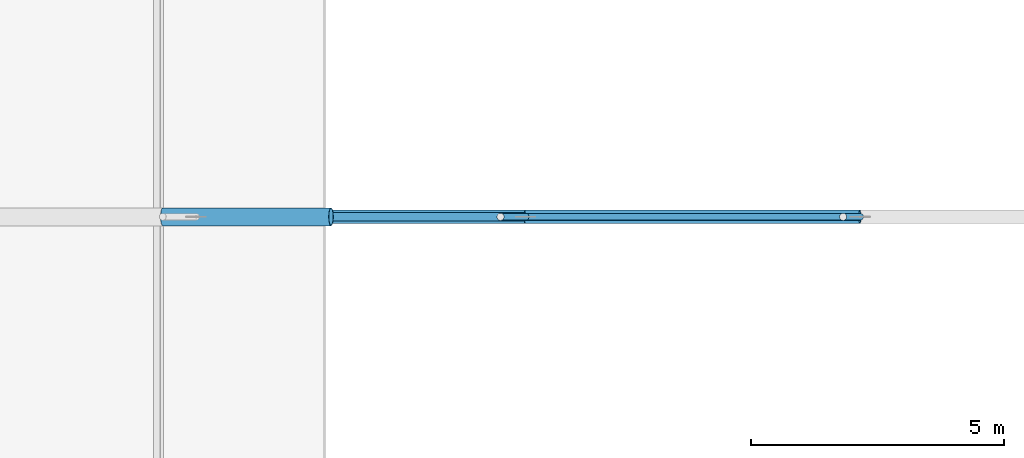
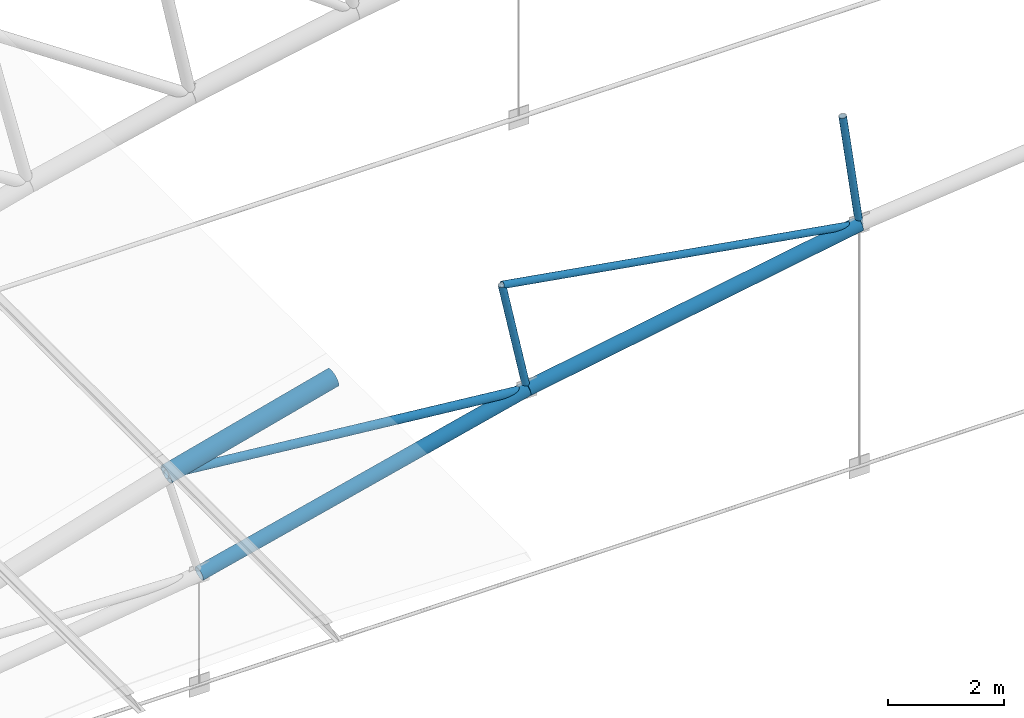
# One storey, part 85 of 321: 7 members.
"""IFC4 building model written with IfcOpenShell, lengths in metres."""

import ifcopenshell
import ifcopenshell.guid

model = None  # the IFC model being written
_history = None  # IfcOwnerHistory: only IFC2X3 demands one
_inside = {}  # id of a spatial element -> (the spatial element, [elements in it])
_under = {}  # id of a project, library or spatial element -> (it, [spatial elements below it])
_declared = {}  # id of a project -> (the project, [libraries it declares])
_typed = {}  # id of a type object -> (the type object, [elements of that type])
_made_of = {}  # id of a material, layer set ... -> (it, [elements and type objects made of it])


def new_model(schema):
    """Start an empty IFC model of exactly this schema.

    Asked for "IFC4X3", IfcOpenShell would pick the latest addendum, in which some entities
    have other attributes; the version numbers below select the first issue.
    IFC2X3 requires an IfcOwnerHistory on every rooted entity: one is made here for all.
    """
    global model, _history
    if schema == "IFC4X3":
        model = ifcopenshell.file(schema_version=(4, 3, 0, 0))
    else:
        model = ifcopenshell.file(schema=schema)
    _inside.clear()
    _under.clear()
    _declared.clear()
    _typed.clear()
    _made_of.clear()
    _history = None
    if model.schema == "IFC2X3":
        org = make("IfcOrganization", Name="unknown")
        user = make(
            "IfcPersonAndOrganization",
            ThePerson=make("IfcPerson", FamilyName="unknown"),
            TheOrganization=org,
        )
        app = make(
            "IfcApplication",
            ApplicationDeveloper=org,
            Version="unknown",
            ApplicationFullName="unknown",
            ApplicationIdentifier="unknown",
        )
        _history = make(
            "IfcOwnerHistory",
            OwningUser=user,
            OwningApplication=app,
            ChangeAction="ADDED",
            CreationDate=0,
        )
    return model


def make(cls, **values):
    """One entity of the class cls with the attributes given. An attribute that is None is left unset."""
    return model.create_entity(
        cls, **{name: value for name, value in values.items() if value is not None}
    )


def rooted(cls, **values):
    """An entity with a GlobalId (a new one), such as an element, a storey or a relation."""
    return make(cls, GlobalId=ifcopenshell.guid.new(), OwnerHistory=_history, **values)


def si_unit(unit_type, name, prefix=None):
    """IfcSIUnit, for example si_unit("LENGTHUNIT", "METRE", prefix="MILLI")."""
    return make("IfcSIUnit", UnitType=unit_type, Prefix=prefix, Name=name)


def assignment(units):
    """IfcUnitAssignment: the units of a project."""
    return None if units is None else make("IfcUnitAssignment", Units=units)


def point(xyz):
    """IfcCartesianPoint."""
    return None if xyz is None else make("IfcCartesianPoint", Coordinates=xyz)


def direction(xyz):
    """IfcDirection."""
    return None if xyz is None else make("IfcDirection", DirectionRatios=xyz)


def frame(location, z_axis=None, x_axis=None):
    """IfcAxis2Placement3D, a coordinate frame: its origin and axes. An axis left out is left unset."""
    return make(
        "IfcAxis2Placement3D",
        Location=point(location),
        Axis=direction(z_axis),
        RefDirection=direction(x_axis),
    )


def frame_2d(location, x_axis=None):
    """IfcAxis2Placement2D, a coordinate frame in the plane: its origin and x axis."""
    return make(
        "IfcAxis2Placement2D", Location=point(location), RefDirection=direction(x_axis)
    )


def origin():
    """The frame at (0, 0, 0) with its axes left unset."""
    return frame((0.0, 0.0, 0.0))


def origin_2d():
    """The frame at (0, 0) in the plane with its x axis left unset."""
    return frame_2d((0.0, 0.0))


def place(relative_to, where):
    """IfcLocalPlacement: puts the frame where relative to a parent placement (None: the world)."""
    return make(
        "IfcLocalPlacement", PlacementRelTo=relative_to, RelativePlacement=where
    )


def context(
    kind, dimensions, precision=None, world=None, true_north=None, identifier=None
):
    """IfcGeometricRepresentationContext, for example the 3D "Model" context."""
    return make(
        "IfcGeometricRepresentationContext",
        ContextIdentifier=identifier,
        ContextType=kind,
        CoordinateSpaceDimension=dimensions,
        Precision=precision,
        WorldCoordinateSystem=world,
        TrueNorth=true_north,
    )


def subcontext(parent, identifier, kind, view, scale=None):
    """IfcGeometricRepresentationSubContext, for example "Body" below "Model"."""
    return make(
        "IfcGeometricRepresentationSubContext",
        ContextIdentifier=identifier,
        ContextType=kind,
        ParentContext=parent,
        TargetScale=scale,
        TargetView=view,
    )


def project(units=None, contexts=None):
    """IfcProject with its units and contexts."""
    return rooted(
        "IfcProject",
        Name="project",
        RepresentationContexts=contexts,
        UnitsInContext=assignment(units),
    )


def spatial(cls, under=None, at=None, **own):
    """A site, building, storey or space (cls), placed at a placement, below another one or the project."""
    s = rooted(cls, ObjectPlacement=at, **own)
    if under is not None:
        _under.setdefault(under.id(), (under, []))[1].append(s)
    return s


def profile(cls, at=None, kind="AREA", **sizes):
    """A parametric profile (cls). Its sizes go by their IFC names, for example OverallWidth=200.0."""
    return make(cls, ProfileType=kind, Position=at, **sizes)


def hollow_circle(**sizes):
    """IfcCircleHollowProfileDef."""
    return profile("IfcCircleHollowProfileDef", **sizes)


def extrude(swept, where, along, depth):
    """IfcExtrudedAreaSolid: the profile swept, set in the frame where, extruded along a direction by depth."""
    return make(
        "IfcExtrudedAreaSolid",
        SweptArea=swept,
        Position=where,
        ExtrudedDirection=direction(along),
        Depth=depth,
    )


def shape(context_of_items, identifier, shape_type, items):
    """IfcShapeRepresentation: the items that make up one representation, for example the "Body"."""
    return make(
        "IfcShapeRepresentation",
        ContextOfItems=context_of_items,
        RepresentationIdentifier=identifier,
        RepresentationType=shape_type,
        Items=items,
    )


def material(Name=None, Category=None):
    """IfcMaterial."""
    return make("IfcMaterial", Name=Name, Category=Category)


def material_profile(
    of_material, cross_section, Name=None, Category=None, Priority=None
):
    """IfcMaterialProfile: a cross section and its material."""
    return make(
        "IfcMaterialProfile",
        Name=Name,
        Material=of_material,
        Profile=cross_section,
        Priority=Priority,
        Category=Category,
    )


def profile_set(profiles, Name=None, composite=None):
    """IfcMaterialProfileSet."""
    return make(
        "IfcMaterialProfileSet",
        Name=Name,
        MaterialProfiles=profiles,
        CompositeProfile=composite,
    )


def made_of(thing, what):
    """Note that an element or type object is made of a material, layer set ...; save() writes the relation."""
    if what is not None:
        _made_of.setdefault(what.id(), (what, []))[1].append(thing)
    return thing


def type_object(cls, material=None, **own):
    """A type object (cls), such as IfcWallType, which elements share."""
    return made_of(rooted(cls, **own), material)


def element(
    cls,
    number,
    at=None,
    inside=None,
    cuts=None,
    type_object=None,
    material=None,
    context=None,
    identifier="Body",
    shape_type=None,
    held_by="IfcProductDefinitionShape",
    body=None,
    shapes=None,
    **own,
):
    """One element of the class cls, such as IfcWall. Its Tag is "e" and its number.

    at: its placement. inside: the storey or other place that contains it. cuts: it is an
    opening in that element (IfcRelVoidsElement). A single representation is given by context,
    identifier, shape_type and body (its items); several are given by shapes. held_by: the class
    of the entity that holds the representations. save() writes the other relations.
    """
    e = rooted(cls, Tag="e%d" % number, ObjectPlacement=at, **own)
    if body is not None:
        shapes = [shape(context, identifier, shape_type, body)]
    if shapes is not None:
        e.Representation = make(held_by, Representations=shapes)
    if inside is not None:
        _inside.setdefault(inside.id(), (inside, []))[1].append(e)
    if cuts is not None:
        rooted(
            "IfcRelVoidsElement", RelatingBuildingElement=cuts, RelatedOpeningElement=e
        )
    if type_object is not None:
        _typed.setdefault(type_object.id(), (type_object, []))[1].append(e)
    return made_of(e, material)


def aggregate(whole, parts):
    """IfcRelAggregates: a whole, such as a stair, and the parts it consists of."""
    return rooted("IfcRelAggregates", RelatingObject=whole, RelatedObjects=parts)


def save(model, path):
    """Write the relations noted so far, then the file.

    IfcRelAggregates (storeys below a building ...), IfcRelContainedInSpatialStructure (elements
    in a storey), IfcRelDefinesByType, IfcRelAssociatesMaterial and IfcRelDeclares: one each for
    every whole, place, type object, material and project.
    """
    for whole, parts in _under.values():
        aggregate(whole, parts)
    for where, things in _inside.values():
        rooted(
            "IfcRelContainedInSpatialStructure",
            RelatedElements=things,
            RelatingStructure=where,
        )
    for kind, things in _typed.values():
        rooted("IfcRelDefinesByType", RelatedObjects=things, RelatingType=kind)
    for what, things in _made_of.values():
        rooted("IfcRelAssociatesMaterial", RelatedObjects=things, RelatingMaterial=what)
    for by, libraries in _declared.values():
        rooted("IfcRelDeclares", RelatingContext=by, RelatedDefinitions=libraries)
    model.write(path)


model = new_model("IFC4")

# Units and contexts
model_context = context("Model", 3, precision=1e-05, world=origin(), true_north=direction((0.0, 1.0)))
body_context = subcontext(model_context, "Body", "Model", "MODEL_VIEW")
ifc_project = project(units=[si_unit("LENGTHUNIT", "METRE"), si_unit("AREAUNIT", "SQUARE_METRE"), si_unit("VOLUMEUNIT", "CUBIC_METRE"), si_unit("PLANEANGLEUNIT", "RADIAN"), si_unit("MASSUNIT", "GRAM", prefix="KILO")], contexts=[model_context])

# Site, building, storey
site_placement = place(None, origin())
site = spatial("IfcSite", under=ifc_project, at=site_placement, CompositionType="ELEMENT")
building_placement = place(site_placement, origin())
building = spatial("IfcBuilding", under=site, at=building_placement, Name="Ravi Spectrum Wholesale Market", CompositionType="ELEMENT")
storey_placement = place(building_placement, frame((0.0, 0.0, 10.800048828125)))
storey = spatial("IfcBuildingStorey", under=building, at=storey_placement, Name="L02", CompositionType="ELEMENT", Elevation=10.800048828125)

# Members
ifc_material_1 = material(Name="Steel S355", Category="steel")
ifc_material_profile_1 = material_profile(ifc_material_1, hollow_circle(Radius=0.06982421875, WallThickness=0.0048828125, at=origin_2d()))
ifc_profile_set_1 = profile_set([ifc_material_profile_1], Name="Steel S355")
member_type_1 = type_object("IfcMemberType", Name="CHS 139.7x5 brace", PredefinedType="BRACE", material=ifc_profile_set_1)
member_1_placement = place(storey_placement, frame((49.55859375, 138.0, 6.30224609375), z_axis=(0.985982518253, 0.0, -0.166848655074), x_axis=(0.0, 1.0, 0.0)))
element("IfcMember", 1, at=member_1_placement, inside=storey, type_object=member_type_1, Name="H1-MB-L02-797", PredefinedType="BRACE", context=body_context, shape_type="SweptSolid", body=[
    extrude(hollow_circle(Radius=0.06982421875, WallThickness=0.0048828125, at=origin_2d()), origin(), (0.0, 0.0, 1.0), 7.1904296875),
])
ifc_material_2 = material(Name="Steel S355", Category="steel")
ifc_material_profile_2 = material_profile(ifc_material_2, hollow_circle(Radius=0.06982421875, WallThickness=0.0048828125, at=origin_2d()))
ifc_profile_set_2 = profile_set([ifc_material_profile_2], Name="Steel S355")
member_type_2 = type_object("IfcMemberType", Name="CHS 139.7x5 post", PredefinedType="POST", material=ifc_profile_set_2)
member_2_placement = place(storey_placement, frame((49.55859375, 138.0, 6.30224609375), z_axis=(0.20547728987, 0.0, -0.978661884078), x_axis=(0.0, 1.0, 0.0)))
element("IfcMember", 2, at=member_2_placement, inside=storey, type_object=member_type_2, Name="H1-MB-L02-786", PredefinedType="POST", context=body_context, shape_type="SweptSolid", body=[
    extrude(hollow_circle(Radius=0.06982421875, WallThickness=0.0048828125, at=origin_2d()), origin(), (0.0, 0.0, 1.0), 2.400146484375),
])
member_3_placement = place(storey_placement, frame((56.318115234375, 138.0, 7.479736328125), z_axis=(0.137532332315, 0.0, -0.990497277921), x_axis=(0.0, 1.0, 0.0)))
element("IfcMember", 3, at=member_3_placement, inside=storey, type_object=member_type_2, Name="H1-MB-L02-787", PredefinedType="POST", context=body_context, shape_type="SweptSolid", body=[
    extrude(hollow_circle(Radius=0.06982421875, WallThickness=0.0048828125, at=origin_2d()), origin(), (0.0, 0.0, 1.0), 2.39990234375),
])
ifc_material_3 = material(Name="Steel S355", Category="steel")
ifc_material_profile_3 = material_profile(ifc_material_3, hollow_circle(Radius=0.084228515625, WallThickness=0.00634765625, at=origin_2d()))
ifc_profile_set_3 = profile_set([ifc_material_profile_3], Name="Steel S355")
member_type_3 = type_object("IfcMemberType", Name="CHS 168.3x6.3 brace", PredefinedType="BRACE", material=ifc_profile_set_3)
member_4_placement = place(storey_placement, frame((42.896240234375, 138.0, 4.661376953125), z_axis=(0.995140525262, 0.0, -0.098464892124), x_axis=(0.0, 1.0, 0.0)))
element("IfcMember", 4, at=member_4_placement, inside=storey, type_object=member_type_3, Name="H1-MB-L02-796", PredefinedType="BRACE", context=body_context, shape_type="SweptSolid", body=[
    extrude(hollow_circle(Radius=0.084228515625, WallThickness=0.00634765625, at=origin_2d()), origin(), (0.0, 0.0, 1.0), 7.1904296875),
])
ifc_material_4 = material(Name="Steel S355", Category="steel")
ifc_material_profile_4 = material_profile(ifc_material_4, hollow_circle(Radius=0.136474609375, WallThickness=0.010009765625, at=origin_2d()))
ifc_profile_set_4 = profile_set([ifc_material_profile_4], Name="Steel S355")
member_type_4 = type_object("IfcMemberType", Name="CHS 273x10 chord", PredefinedType="CHORD", material=ifc_profile_set_4)
for number, where, z_axis, x_axis, name in (
    (5, (43.55029296875, 138.0, 2.35205078125), (0.970981670562, 0.0, 0.23915391578), (0.0, 1.0, 0.0), "H1-MB-L02-774"),
    (6, (50.0517578125, 138.0, 3.953369140625), (0.985162205886, 0.0, 0.171625837489), (0.0, 1.0, 0.0), "H1-MB-L02-775"),
):
    element("IfcMember", number, at=place(storey_placement, frame(where, z_axis=z_axis, x_axis=x_axis)), inside=storey, type_object=member_type_4, Name=name, PredefinedType="CHORD", context=body_context, shape_type="SweptSolid", body=[
        extrude(hollow_circle(Radius=0.136474609375, WallThickness=0.010009765625, at=origin_2d()), origin(), (0.0, 0.0, 1.0), 6.69580078125),
    ])
ifc_material_5 = material(Name="Steel S355", Category="steel")
ifc_material_profile_5 = material_profile(ifc_material_5, hollow_circle(Radius=0.177734375, WallThickness=0.012451171875, at=origin_2d()))
ifc_profile_set_5 = profile_set([ifc_material_profile_5], Name="Steel S355")
member_type_5 = type_object("IfcMemberType", Name="CHS 355.6x12.5 chord", PredefinedType="CHORD", material=ifc_profile_set_5)
member_5_placement = place(storey_placement, frame((42.896240234375, 138.0, 4.661376953125), z_axis=(0.966728003216, 0.0, 0.255806504605), x_axis=(0.0, 1.0, 0.0)))
element("IfcMember", 7, at=member_5_placement, inside=storey, type_object=member_type_5, Name="H1-MB-L02-752", PredefinedType="CHORD", context=body_context, shape_type="SweptSolid", body=[
    extrude(hollow_circle(Radius=0.177734375, WallThickness=0.012451171875, at=origin_2d()), origin(), (0.0, 0.0, 1.0), 3.43115234375),
])

save(model, "model.ifc")
